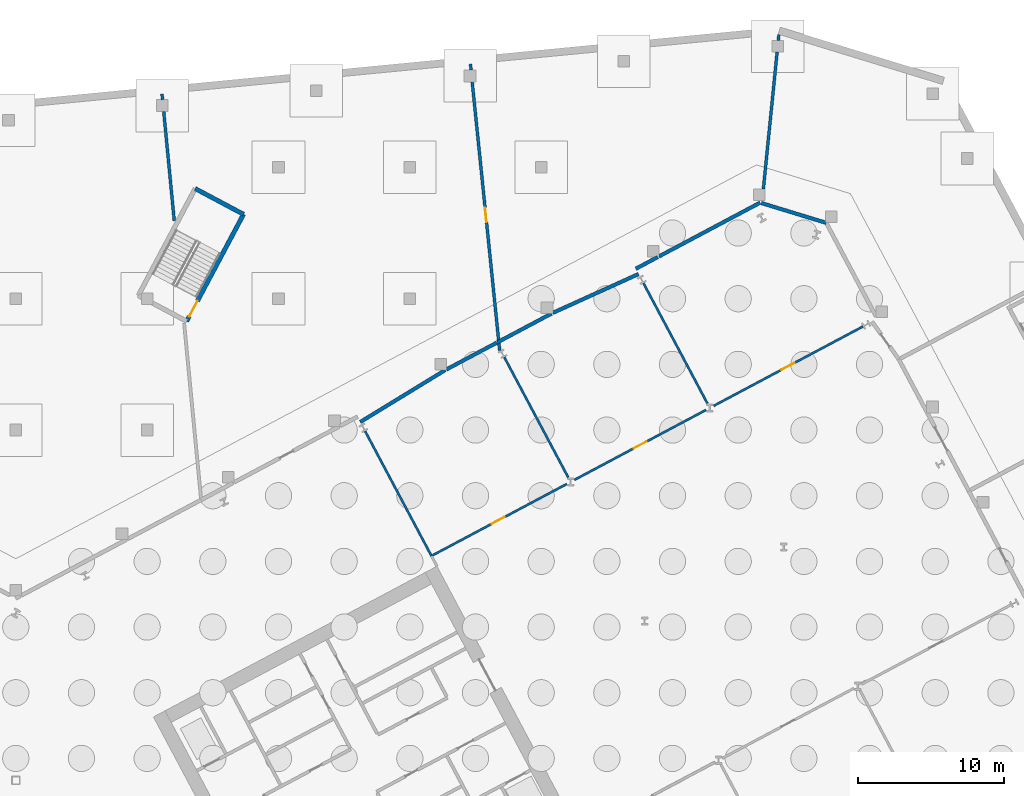
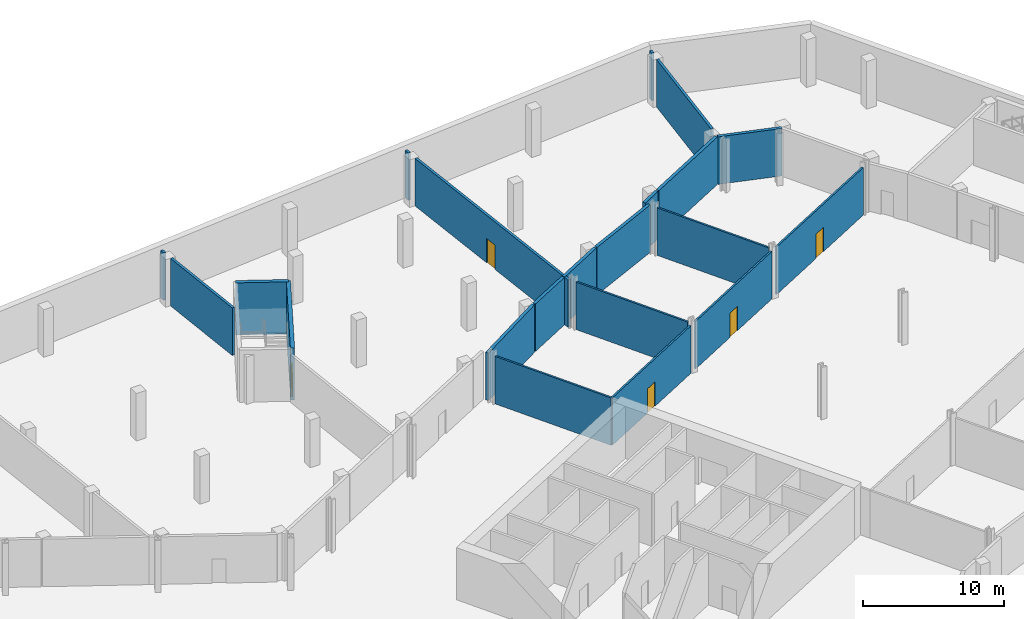
# One storey, part 19 of 29: 21 walls, 5 doors, 5 openings.
"""IFC4 building model written with IfcOpenShell, lengths in metres."""

from ifc_helpers import new_model, si_unit, direction, frame, frame_2d, origin, place, context, subcontext, project, spatial, rectangle, extrude, material, layer, layer_set, type_object, element, fill, save


model = new_model("IFC4")

# Units and contexts
model_context = context("Model", 3, precision=1e-05, world=origin(), true_north=direction((0.0, 1.0)))
body_context = subcontext(model_context, "Body", "Model", "MODEL_VIEW")
ifc_project = project(units=[si_unit("LENGTHUNIT", "METRE"), si_unit("AREAUNIT", "SQUARE_METRE"), si_unit("VOLUMEUNIT", "CUBIC_METRE"), si_unit("PLANEANGLEUNIT", "RADIAN"), si_unit("MASSUNIT", "GRAM", prefix="KILO")], contexts=[model_context])

# Site, building, storey
site_placement = place(None, origin())
site = spatial("IfcSite", under=ifc_project, at=site_placement, CompositionType="ELEMENT")
building_placement = place(site_placement, origin())
building = spatial("IfcBuilding", under=site, at=building_placement, Name="Cormorant Relay Tower", CompositionType="ELEMENT")
storey_placement = place(building_placement, frame((0.0, 0.0, -9.0)))
storey = spatial("IfcBuildingStorey", under=building, at=storey_placement, Name="B2", CompositionType="ELEMENT", Elevation=-9.0)

# Walls
ifc_material_1 = material(Name="Concrete masonry 20 MPa", Category="masonry")
ifc_layer_1 = layer(ifc_material_1, 0.25)
ifc_layer_set_1 = layer_set([ifc_layer_1], Name="Fire separation wall 250")
wall_type_1 = type_object("IfcWallType", Name="Fire separation wall 250", PredefinedType="SOLIDWALL", material=ifc_layer_set_1)
wall_1_placement = place(storey_placement, frame((51.086669921875, 51.555908203125, 0.0), z_axis=(0.0, 0.0, 1.0), x_axis=(0.956310816829, -0.292351879788, 0.0)))
element("IfcWall", 1, at=wall_1_placement, inside=storey, type_object=wall_type_1, Name="Partition", PredefinedType="SOLIDWALL", context=body_context, shape_type="SweptSolid", body=[
    extrude(rectangle(XDim=4.6513671875, YDim=0.25, at=frame_2d((2.32568359375, 0.0))), origin(), (0.0, 0.0, 1.0), 4.10009765625),
])
wall_2_placement = place(storey_placement, frame((32.988525390625, 42.00390625, 0.0), z_axis=(0.0, 0.0, 1.0), x_axis=(0.882952706143, 0.469461945971, 0.0)))
element("IfcWall", 2, at=wall_2_placement, inside=storey, type_object=wall_type_1, Name="Partition", PredefinedType="SOLIDWALL", context=body_context, shape_type="SweptSolid", body=[
    extrude(rectangle(XDim=4.209228515625, YDim=0.25, at=frame_2d((2.1044921875, 0.0))), origin(), (0.0, 0.0, 1.0), 4.10009765625),
])
wall_3_placement = place(storey_placement, frame((36.79296875, 44.026611328125, 0.0), z_axis=(0.0, 0.0, 1.0), x_axis=(0.910758391685, 0.412939646892, 0.0)))
element("IfcWall", 3, at=wall_3_placement, inside=storey, type_object=wall_type_1, Name="Partition", PredefinedType="SOLIDWALL", context=body_context, shape_type="SweptSolid", body=[
    extrude(rectangle(XDim=6.457275390625, YDim=0.25, at=frame_2d((3.228515625, 0.0))), origin(), (0.0, 0.0, 1.0), 4.10009765625),
])
wall_4_placement = place(storey_placement, frame((42.483154296875, 47.05224609375, 0.0), z_axis=(0.0, 0.0, 1.0), x_axis=(0.882940813988, 0.469484311766, 0.0)))
element("IfcWall", 4, at=wall_4_placement, inside=storey, type_object=wall_type_1, Name="Partition", PredefinedType="SOLIDWALL", context=body_context, shape_type="SweptSolid", body=[
    extrude(rectangle(XDim=1.699462890625, YDim=0.25, at=frame_2d((0.849609375, 0.0))), origin(), (0.0, 0.0, 1.0), 4.10009765625),
])
wall_5_placement = place(storey_placement, frame((44.072021484375, 47.89697265625, 0.0), z_axis=(0.0, 0.0, 1.0), x_axis=(0.882948932855, 0.469469042612, 0.0)))
element("IfcWall", 5, at=wall_5_placement, inside=storey, type_object=wall_type_1, Name="Partition", PredefinedType="SOLIDWALL", context=body_context, shape_type="SweptSolid", body=[
    extrude(rectangle(XDim=7.848876953125, YDim=0.25, at=frame_2d((3.92431640625, 0.0))), origin(), (0.0, 0.0, 1.0), 4.10009765625),
])
wall_6_placement = place(storey_placement, frame((23.6025390625, 36.552001953125, 0.0), z_axis=(0.0, 0.0, 1.0), x_axis=(0.853356100333, 0.521328462703, 0.0)))
element("IfcWall", 6, at=wall_6_placement, inside=storey, type_object=wall_type_1, Name="Partition", PredefinedType="SOLIDWALL", context=body_context, shape_type="SweptSolid", body=[
    extrude(rectangle(XDim=6.8251953125, YDim=0.25, at=frame_2d((3.41259765625, 0.0))), origin(), (0.0, 0.0, 1.0), 4.10009765625),
])
wall_7_placement = place(storey_placement, frame((29.513916015625, 40.156494140625, 0.0), z_axis=(0.0, 0.0, 1.0), x_axis=(0.882952549127, 0.469462241283, 0.0)))
element("IfcWall", 7, at=wall_7_placement, inside=storey, type_object=wall_type_1, Name="Partition", PredefinedType="SOLIDWALL", context=body_context, shape_type="SweptSolid", body=[
    extrude(rectangle(XDim=3.89501953125, YDim=0.25, at=frame_2d((1.947509765625, 0.0))), origin(), (0.0, 0.0, 1.0), 4.10009765625),
])

# Wall, opening, door
ifc_material_2 = material(Name="Gypsum board on steel stud", Category="steel")
ifc_layer_2 = layer(ifc_material_2, 0.14990234375)
ifc_layer_set_2 = layer_set([ifc_layer_2], Name="Partition 150")
wall_type_2 = type_object("IfcWallType", Name="Partition 150", PredefinedType="PARTITIONING", material=ifc_layer_set_2)
wall_8_placement = place(storey_placement, frame((37.75537109375, 32.306640625, 0.0), z_axis=(0.0, 0.0, 1.0), x_axis=(-0.882947426762, -0.469471875169, 0.0)))
wall_8 = element("IfcWall", 8, at=wall_8_placement, inside=storey, type_object=wall_type_2, Name="Partition", PredefinedType="PARTITIONING", context=body_context, shape_type="SweptSolid", body=[
    extrude(rectangle(XDim=10.503173828125, YDim=0.14990234375, at=frame_2d((5.25146484375, 0.0))), origin(), (0.0, 0.0, 1.0), 4.10009765625),
])
opening_1_placement = place(wall_8_placement, frame((4.82958984375, 0.0, 0.0)))
opening_1 = element("IfcOpeningElement", 9, at=opening_1_placement, cuts=wall_8, Name="Opening PD1-021", PredefinedType="OPENING", context=body_context, shape_type="SweptSolid", body=[
    extrude(rectangle(XDim=1.0, YDim=2.10009765625, at=frame_2d((0.5, 1.050048828125))), frame((0.0, 0.0849609375, 0.0), z_axis=(0.0, -1.0, 0.0), x_axis=(1.0, 0.0, 0.0)), (0.0, 0.0, 1.0), 0.169921875),
])
ifc_material_3 = material(Name="Steel door leaf", Category="steel")
door_type_1 = type_object("IfcDoorType", Name="Door single 1000", OperationType="SINGLE_SWING_LEFT", PredefinedType="DOOR", material=ifc_material_3)
door_1_placement = place(opening_1_placement, frame((1.0, 0.0, 0.0), z_axis=(0.0, 0.0, 1.0), x_axis=(-1.0, 0.0, 0.0)))
door_1 = element("IfcDoor", 10, at=door_1_placement, inside=storey, type_object=door_type_1, Name="Door", OperationType="SINGLE_SWING_LEFT", OverallHeight=2.10009765625, OverallWidth=1.0, PredefinedType="DOOR", context=body_context, shape_type="SweptSolid", body=[
    extrude(rectangle(XDim=1.0, YDim=2.10009765625, at=frame_2d((0.5, 1.050048828125))), frame((0.0, 0.02490234375, 0.0), z_axis=(0.0, -1.0, 0.0), x_axis=(1.0, 0.0, 0.0)), (0.0, 0.0, 1.0), 0.050048828125),
])
fill(opening_1, door_1)

wall_9_placement = place(storey_placement, frame((47.29052734375, 37.37646484375, 0.0), z_axis=(0.0, 0.0, 1.0), x_axis=(-0.88295489766, -0.469457824194, 0.0)))
wall_9 = element("IfcWall", 11, at=wall_9_placement, inside=storey, type_object=wall_type_2, Name="Partition", PredefinedType="PARTITIONING", context=body_context, shape_type="SweptSolid", body=[
    extrude(rectangle(XDim=10.204345703125, YDim=0.14990234375, at=frame_2d((5.10205078125, 0.0))), origin(), (0.0, 0.0, 1.0), 4.10009765625),
])
opening_2_placement = place(wall_9_placement, frame((4.6015625, 0.0, 0.0)))
opening_2 = element("IfcOpeningElement", 12, at=opening_2_placement, cuts=wall_9, Name="Opening PD1-022", PredefinedType="OPENING", context=body_context, shape_type="SweptSolid", body=[
    extrude(rectangle(XDim=1.0, YDim=2.10009765625, at=frame_2d((0.5, 1.050048828125))), frame((0.0, 0.0849609375, 0.0), z_axis=(0.0, -1.0, 0.0), x_axis=(1.0, 0.0, 0.0)), (0.0, 0.0, 1.0), 0.169921875),
])
door_2_placement = place(opening_2_placement, frame((1.0, 0.0, 0.0), z_axis=(0.0, 0.0, 1.0), x_axis=(-1.0, 0.0, 0.0)))
door_2 = element("IfcDoor", 13, at=door_2_placement, inside=storey, type_object=door_type_1, Name="Door", OperationType="SINGLE_SWING_LEFT", OverallHeight=2.10009765625, OverallWidth=1.0, PredefinedType="DOOR", context=body_context, shape_type="SweptSolid", body=[
    extrude(rectangle(XDim=1.0, YDim=2.10009765625, at=frame_2d((0.5, 1.050048828125))), frame((0.0, 0.02490234375, 0.0), z_axis=(0.0, -1.0, 0.0), x_axis=(1.0, 0.0, 0.0)), (0.0, 0.0, 1.0), 0.050048828125),
])
fill(opening_2, door_2)

wall_10_placement = place(storey_placement, frame((58.045654296875, 43.09521484375, 0.0), z_axis=(0.0, 0.0, 1.0), x_axis=(-0.882944872937, -0.469476678179, 0.0)))
wall_10 = element("IfcWall", 14, at=wall_10_placement, inside=storey, type_object=wall_type_2, Name="Partition", PredefinedType="PARTITIONING", context=body_context, shape_type="SweptSolid", body=[
    extrude(rectangle(XDim=11.586181640625, YDim=0.14990234375, at=frame_2d((5.79296875, 0.0))), origin(), (0.0, 0.0, 1.0), 4.10009765625),
])
opening_3_placement = place(wall_10_placement, frame((5.313720703125, 0.0, 0.0)))
opening_3 = element("IfcOpeningElement", 15, at=opening_3_placement, cuts=wall_10, Name="Opening PD1-023", PredefinedType="OPENING", context=body_context, shape_type="SweptSolid", body=[
    extrude(rectangle(XDim=1.0, YDim=2.10009765625, at=frame_2d((0.5, 1.050048828125))), frame((0.0, 0.0849609375, 0.0), z_axis=(0.0, -1.0, 0.0), x_axis=(1.0, 0.0, 0.0)), (0.0, 0.0, 1.0), 0.169921875),
])
door_3_placement = place(opening_3_placement, frame((1.0, 0.0, 0.0), z_axis=(0.0, 0.0, 1.0), x_axis=(-1.0, 0.0, 0.0)))
door_3 = element("IfcDoor", 16, at=door_3_placement, inside=storey, type_object=door_type_1, Name="Door", OperationType="SINGLE_SWING_LEFT", OverallHeight=2.10009765625, OverallWidth=1.0, PredefinedType="DOOR", context=body_context, shape_type="SweptSolid", body=[
    extrude(rectangle(XDim=1.0, YDim=2.10009765625, at=frame_2d((0.5, 1.050048828125))), frame((0.0, 0.02490234375, 0.0), z_axis=(0.0, -1.0, 0.0), x_axis=(1.0, 0.0, 0.0)), (0.0, 0.0, 1.0), 0.050048828125),
])
fill(opening_3, door_3)

# Walls
wall_11_placement = place(storey_placement, frame((37.849609375, 32.761962890625, 0.0), z_axis=(0.0, 0.0, 1.0), x_axis=(-0.469481854544, 0.882942120557, 0.0)))
element("IfcWall", 17, at=wall_11_placement, inside=storey, type_object=wall_type_2, Name="Partition", PredefinedType="PARTITIONING", context=body_context, shape_type="SweptSolid", body=[
    extrude(rectangle(XDim=9.326171875, YDim=0.14990234375, at=frame_2d((4.6630859375, 0.0))), origin(), (0.0, 0.0, 1.0), 4.10009765625),
])
wall_12_placement = place(storey_placement, frame((23.935791015625, 35.925537109375, 0.0), z_axis=(0.0, 0.0, 1.0), x_axis=(0.469473365889, -0.882946634129, 0.0)))
element("IfcWall", 18, at=wall_12_placement, inside=storey, type_object=wall_type_2, Name="Partition", PredefinedType="PARTITIONING", context=body_context, shape_type="SweptSolid", body=[
    extrude(rectangle(XDim=9.687255859375, YDim=0.14990234375, at=frame_2d((4.84375, 0.0))), origin(), (0.0, 0.0, 1.0), 4.10009765625),
])
wall_13_placement = place(storey_placement, frame((47.385498046875, 37.832275390625, 0.0), z_axis=(0.0, 0.0, 1.0), x_axis=(-0.469472297485, 0.882947202212, 0.0)))
element("IfcWall", 19, at=wall_13_placement, inside=storey, type_object=wall_type_2, Name="Partition", PredefinedType="PARTITIONING", context=body_context, shape_type="SweptSolid", body=[
    extrude(rectangle(XDim=9.32568359375, YDim=0.14990234375, at=frame_2d((4.662841796875, 0.0))), origin(), (0.0, 0.0, 1.0), 4.10009765625),
])
ifc_material_4 = material(Name="Concrete masonry 20 MPa", Category="masonry")
ifc_layer_3 = layer(ifc_material_4, 0.199951171875)
ifc_layer_set_3 = layer_set([ifc_layer_3], Name="Plant room wall 200")
wall_type_3 = type_object("IfcWallType", Name="Plant room wall 200", PredefinedType="PARTITIONING", material=ifc_layer_set_3)
wall_14_placement = place(storey_placement, frame((52.28759765625, 63.08935546875, 0.0), z_axis=(0.0, 0.0, 1.0), x_axis=(-0.099933903019, -0.994994077886, 0.0)))
element("IfcWall", 20, at=wall_14_placement, inside=storey, type_object=wall_type_3, Name="Partition", PredefinedType="PARTITIONING", context=body_context, shape_type="SweptSolid", body=[
    extrude(rectangle(XDim=0.393310546875, YDim=0.199951171875, at=frame_2d((0.19677734375, 0.0))), origin(), (0.0, 0.0, 1.0), 4.10009765625),
])
wall_15_placement = place(storey_placement, frame((52.167724609375, 61.89794921875, 0.0), z_axis=(0.0, 0.0, 1.0), x_axis=(-0.100124403506, -0.994974926228, 0.0)))
element("IfcWall", 21, at=wall_15_placement, inside=storey, type_object=wall_type_3, Name="Partition", PredefinedType="PARTITIONING", context=body_context, shape_type="SweptSolid", body=[
    extrude(rectangle(XDim=9.42431640625, YDim=0.199951171875, at=frame_2d((4.712158203125, 0.0))), origin(), (0.0, 0.0, 1.0), 4.10009765625),
])
wall_16_placement = place(storey_placement, frame((31.154541015625, 61.072021484375, 0.0), z_axis=(0.0, 0.0, 1.0), x_axis=(0.095769432991, -0.995403544149, 0.0)))
element("IfcWall", 22, at=wall_16_placement, inside=storey, type_object=wall_type_3, Name="Partition", PredefinedType="PARTITIONING", context=body_context, shape_type="SweptSolid", body=[
    extrude(rectangle(XDim=0.407958984375, YDim=0.199951171875, at=frame_2d((0.2041015625, 0.0))), origin(), (0.0, 0.0, 1.0), 4.10009765625),
])

# Wall, opening, door
wall_17_placement = place(storey_placement, frame((31.270751953125, 59.865966796875, 0.0), z_axis=(0.0, 0.0, 1.0), x_axis=(0.10182537806, -0.994802288087, 0.0)))
wall_17 = element("IfcWall", 23, at=wall_17_placement, inside=storey, type_object=wall_type_3, Name="Partition", PredefinedType="PARTITIONING", context=body_context, shape_type="SweptSolid", body=[
    extrude(rectangle(XDim=18.509765625, YDim=0.199951171875, at=frame_2d((9.2548828125, 0.0))), origin(), (0.0, 0.0, 1.0), 4.10009765625),
])
opening_4_placement = place(wall_17_placement, frame((8.6689453125, 0.0, 0.0)))
opening_4 = element("IfcOpeningElement", 24, at=opening_4_placement, cuts=wall_17, Name="Opening PD1-010", PredefinedType="OPENING", context=body_context, shape_type="SweptSolid", body=[
    extrude(rectangle(XDim=1.0, YDim=2.10009765625, at=frame_2d((0.5, 1.050048828125))), frame((0.0, 0.10986328125, 0.0), z_axis=(0.0, -1.0, 0.0), x_axis=(1.0, 0.0, 0.0)), (0.0, 0.0, 1.0), 0.219970703125),
])
door_4_placement = place(opening_4_placement, origin())
door_4 = element("IfcDoor", 25, at=door_4_placement, inside=storey, type_object=door_type_1, Name="Door", OperationType="SINGLE_SWING_RIGHT", OverallHeight=2.10009765625, OverallWidth=1.0, PredefinedType="DOOR", context=body_context, shape_type="SweptSolid", body=[
    extrude(rectangle(XDim=1.0, YDim=2.10009765625, at=frame_2d((0.5, 1.050048828125))), frame((0.0, 0.02490234375, 0.0), z_axis=(0.0, -1.0, 0.0), x_axis=(1.0, 0.0, 0.0)), (0.0, 0.0, 1.0), 0.050048828125),
])
fill(opening_4, door_4)

# Walls
wall_18_placement = place(storey_placement, frame((10.019287109375, 59.034912109375, 0.0), z_axis=(0.0, 0.0, 1.0), x_axis=(0.095781713328, -0.995402362561, 0.0)))
element("IfcWall", 26, at=wall_18_placement, inside=storey, type_object=wall_type_3, Name="Partition", PredefinedType="PARTITIONING", context=body_context, shape_type="SweptSolid", body=[
    extrude(rectangle(XDim=0.40283203125, YDim=0.199951171875, at=frame_2d((0.201416015625, 0.0))), origin(), (0.0, 0.0, 1.0), 4.10009765625),
])
wall_19_placement = place(storey_placement, frame((10.135009765625, 57.833984375, 0.0), z_axis=(0.0, 0.0, 1.0), x_axis=(0.095941692949, -0.995386955688, 0.0)))
element("IfcWall", 27, at=wall_19_placement, inside=storey, type_object=wall_type_3, Name="Partition", PredefinedType="PARTITIONING", context=body_context, shape_type="SweptSolid", body=[
    extrude(rectangle(XDim=7.527099609375, YDim=0.199951171875, at=frame_2d((3.763671875, 0.0))), origin(), (0.0, 0.0, 1.0), 4.10009765625),
])
ifc_material_5 = material(Name="Concrete 50 MPa", Category="concrete")
ifc_layer_4 = layer(ifc_material_5, 0.300048828125)
ifc_layer_set_4 = layer_set([ifc_layer_4], Name="Remote stair wall 300")
wall_type_4 = type_object("IfcWallType", Name="Remote stair wall 300", PredefinedType="SHEAR", material=ifc_layer_set_4)
wall_20_placement = place(storey_placement, frame((12.292724609375, 52.54443359375, 0.0), z_axis=(0.0, 0.0, 1.0), x_axis=(0.882948761726, -0.46946936446, 0.0)))
element("IfcWall", 28, at=wall_20_placement, inside=storey, type_object=wall_type_4, Name="B2 exit stair RN1 wall", PredefinedType="SHEAR", context=body_context, shape_type="SweptSolid", body=[
    extrude(rectangle(XDim=3.75, YDim=0.300048828125, at=frame_2d((1.875, 0.0))), origin(), (0.0, 0.0, 1.0), 4.5),
])

# Wall, opening, door
wall_21_placement = place(storey_placement, frame((15.603759765625, 50.783935546875, 0.0), z_axis=(0.0, 0.0, 1.0), x_axis=(-0.469464178475, -0.882951519127, 0.0)))
wall_21 = element("IfcWall", 29, at=wall_21_placement, inside=storey, type_object=wall_type_4, Name="B2 exit stair RN1 wall", PredefinedType="SHEAR", context=body_context, shape_type="SweptSolid", body=[
    extrude(rectangle(XDim=8.2998046875, YDim=0.300048828125, at=frame_2d((4.14990234375, 0.0))), origin(), (0.0, 0.0, 1.0), 4.5),
])
opening_5_placement = place(wall_21_placement, frame((6.72509765625, 0.0, 0.0)))
opening_5 = element("IfcOpeningElement", 30, at=opening_5_placement, cuts=wall_21, Name="Opening CDB-005", PredefinedType="OPENING", context=body_context, shape_type="SweptSolid", body=[
    extrude(rectangle(XDim=1.199951171875, YDim=2.10009765625, at=frame_2d((0.60009765625, 1.050048828125))), frame((0.0, 0.159912109375, 0.0), z_axis=(0.0, -1.0, 0.0), x_axis=(1.0, 0.0, 0.0)), (0.0, 0.0, 1.0), 0.320068359375),
])
ifc_material_6 = material(Name="Steel fire door", Category="steel")
door_type_2 = type_object("IfcDoorType", Name="Core stair door 1200x2100", OperationType="SINGLE_SWING_LEFT", PredefinedType="DOOR", material=ifc_material_6)
door_5_placement = place(opening_5_placement, frame((1.199951171875, 0.0, 0.0), z_axis=(0.0, 0.0, 1.0), x_axis=(-1.0, 0.0, 0.0)))
door_5 = element("IfcDoor", 31, at=door_5_placement, inside=storey, type_object=door_type_2, Name="Exit stair RN1 door", OperationType="SINGLE_SWING_LEFT", OverallHeight=2.10009765625, OverallWidth=1.199951171875, PredefinedType="DOOR", context=body_context, shape_type="SweptSolid", body=[
    extrude(rectangle(XDim=1.199951171875, YDim=2.10009765625, at=frame_2d((0.60009765625, 1.050048828125))), frame((0.0, 0.02490234375, 0.0), z_axis=(0.0, -1.0, 0.0), x_axis=(1.0, 0.0, 0.0)), (0.0, 0.0, 1.0), 0.050048828125),
])
fill(opening_5, door_5)

save(model, "model.ifc")
